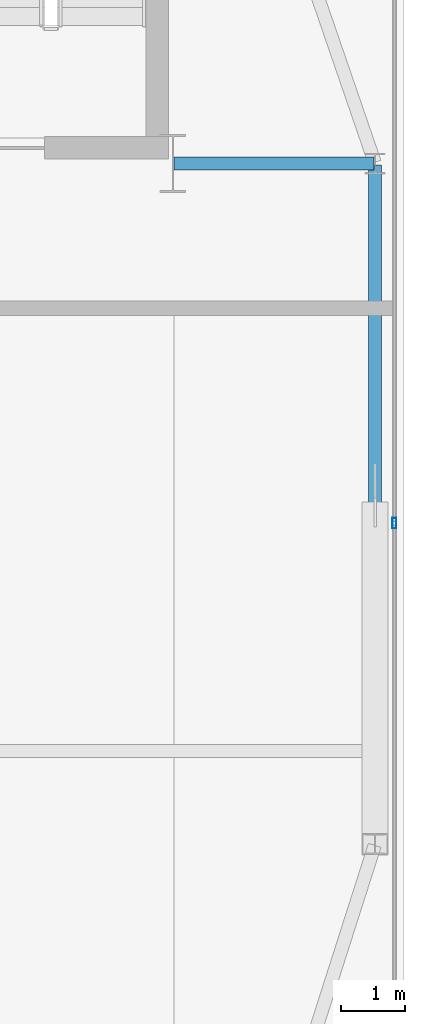
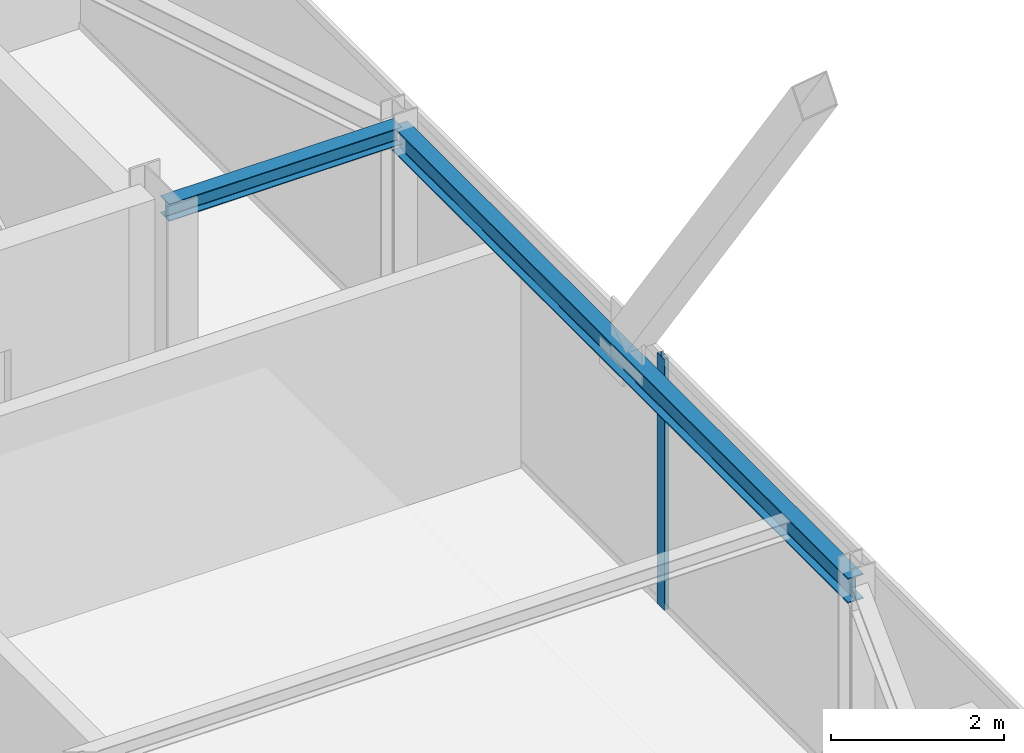
# One storey, part 16 of 24: 2 beams, 1 member, 1 element without a shape of its own.
"""IFC4 building model written with IfcOpenShell, lengths in metres."""

from ifc_helpers import new_model, si_unit, direction, frame, origin, origin_2d, place, context, subcontext, project, spatial, hollow_rectangle, i_section, extrude, source, transform, mapped, material, layer, layer_set, material_profile, profile_set, type_object, type_shapes, element, aggregate, save


model = new_model("IFC4")

# Units and contexts
model_context = context("Model", 3, precision=1e-05, world=origin(), true_north=direction((0.0, 1.0)))
body_context = subcontext(model_context, "Body", "Model", "MODEL_VIEW")
ifc_project = project(units=[si_unit("LENGTHUNIT", "METRE"), si_unit("AREAUNIT", "SQUARE_METRE"), si_unit("VOLUMEUNIT", "CUBIC_METRE"), si_unit("PLANEANGLEUNIT", "RADIAN"), si_unit("MASSUNIT", "GRAM", prefix="KILO")], contexts=[model_context])

# Site, building, storey
site_placement = place(None, origin())
site = spatial("IfcSite", under=ifc_project, at=site_placement, CompositionType="ELEMENT")
building_placement = place(site_placement, origin())
building = spatial("IfcBuilding", under=site, at=building_placement, Name="Varnel Quay Broadcast Tower", CompositionType="ELEMENT")
storey_placement = place(building_placement, frame((0.0, 0.0, 262.199951171875)))
storey = spatial("IfcBuildingStorey", under=building, at=storey_placement, Name="L65", CompositionType="ELEMENT", Elevation=262.199951171875)

# Beams
ifc_material_1 = material(Name="Structural Steel CSA G40.21 350W", Category="steel")
ifc_material_profile_1 = material_profile(ifc_material_1, i_section(OverallWidth=0.205078125, OverallDepth=0.35400390625, WebThickness=0.009521484375, FlangeThickness=0.016845703125, FilletRadius=0.012939453125, at=origin_2d()), Name="W360X79")
ifc_profile_set_1 = profile_set([ifc_material_profile_1], Name="Structural Steel CSA G40.21 350W")
beam_type_1 = type_object("IfcBeamType", Name="Beam_W360X79", PredefinedType="SPANDREL", material=ifc_profile_set_1)
shared_shape_1 = source(origin(), body_context, "Body", "SweptSolid", [
    extrude(i_section(OverallWidth=0.205078125, OverallDepth=0.35400390625, WebThickness=0.009521484375, FlangeThickness=0.016845703125, FilletRadius=0.012939453125, at=origin_2d()), origin(), (0.0, 0.0, 1.0), 10.56005859375),
])
type_shapes(beam_type_1, [shared_shape_1])
beam_1_placement = place(storey_placement, frame((55.550048828125, 25.02001953125, 3.373046875), z_axis=(0.0, 1.0, 0.0), x_axis=(-1.0, 0.0, 0.0)))
element("IfcBeam", 1, at=beam_1_placement, inside=storey, type_object=beam_type_1, Name="L65 East Spandrel TC-E1-TC-E2", PredefinedType="SPANDREL", context=body_context, shape_type="MappedRepresentation", body=[
    mapped(shared_shape_1, transform((0.0, 0.0, 0.0), x_axis=(1.0, 0.0, 0.0), y_axis=(0.0, 1.0, 0.0), z_axis=(0.0, 0.0, 1.0), scale=1.0)),
])
ifc_material_profile_2 = material_profile(ifc_material_1, i_section(OverallWidth=0.201904296875, OverallDepth=0.2470703125, WebThickness=0.00732421875, FlangeThickness=0.010986328125, FilletRadius=0.010986328125, at=origin_2d()), Name="W250X49")
ifc_profile_set_2 = profile_set([ifc_material_profile_2], Name="Structural Steel CSA G40.21 350W")
beam_type_2 = type_object("IfcBeamType", Name="Beam_W250X49", PredefinedType="JOIST", material=ifc_profile_set_2)
shared_shape_2 = source(origin(), body_context, "Body", "SweptSolid", [
    extrude(i_section(OverallWidth=0.201904296875, OverallDepth=0.2470703125, WebThickness=0.00732421875, FlangeThickness=0.010986328125, FilletRadius=0.010986328125, at=origin_2d()), origin(), (0.0, 0.0, 1.0), 3.110107421875),
])
type_shapes(beam_type_2, [shared_shape_2])
beam_2_placement = place(storey_placement, frame((52.419921875, 35.60009765625, 3.426513671875), z_axis=(1.0, 0.0, 0.0), x_axis=(0.0, 1.0, 0.0)))
element("IfcBeam", 2, at=beam_2_placement, inside=storey, type_object=beam_type_2, Name="L65 East Core Tie Joist", PredefinedType="JOIST", context=body_context, shape_type="MappedRepresentation", body=[
    mapped(shared_shape_2, transform((0.0, 0.0, 0.0), x_axis=(1.0, 0.0, 0.0), y_axis=(0.0, 1.0, 0.0), z_axis=(0.0, 0.0, 1.0), scale=1.0)),
])

# Curtain wall, member
ifc_material_2 = material(Name="Anodised Bronze Aluminium 6063-T6", Category="aluminium")
ifc_layer = layer(ifc_material_2, 0.18994140625, Name="Anodised Bronze Aluminium 6063-T6")
ifc_layer_set = layer_set([ifc_layer], Name="Anodised Bronze Aluminium 6063-T6")
curtain_wall_type = type_object("IfcCurtainWallType", Name="CW_UpperTower", PredefinedType="NOTDEFINED", material=ifc_layer_set)
curtain_wall_placement = place(storey_placement, origin())
curtain_wall = element("IfcCurtainWall", 3, at=curtain_wall_placement, inside=storey, type_object=curtain_wall_type, Name="L65 East Unitised Curtain Wall", PredefinedType="NOTDEFINED")
ifc_material_profile_3 = material_profile(ifc_material_2, hollow_rectangle(XDim=0.06494140625, YDim=0.1650390625, WallThickness=0.00341796875, at=origin_2d()), Name="ALU65X165X3.5")
ifc_profile_set_3 = profile_set([ifc_material_profile_3], Name="Anodised Bronze Aluminium 6063-T6")
member_type = type_object("IfcMemberType", Name="Mull_CWS-03", PredefinedType="MULLION", material=ifc_profile_set_3)
shared_shape_3 = source(origin(), body_context, "Body", "SweptSolid", [
    extrude(hollow_rectangle(XDim=0.06494140625, YDim=0.1650390625, WallThickness=0.00341796875, at=origin_2d()), origin(), (0.0, 0.0, 1.0), 3.550048828125),
])
type_shapes(member_type, [shared_shape_3])
member_placement = place(storey_placement, frame((55.85009765625, 30.0, 0.0), z_axis=(0.0, 0.0, 1.0), x_axis=(-1.0, 0.0, 0.0)))
member = element("IfcMember", 4, at=member_placement, type_object=member_type, Name="CWS-03 mullion 2", PredefinedType="MULLION", context=body_context, shape_type="MappedRepresentation", body=[
    mapped(shared_shape_3, transform((0.0, 0.0, 0.0), x_axis=(1.0, 0.0, 0.0), y_axis=(0.0, 1.0, 0.0), z_axis=(0.0, 0.0, 1.0), scale=1.0)),
])
aggregate(curtain_wall, [member])

save(model, "model.ifc")
